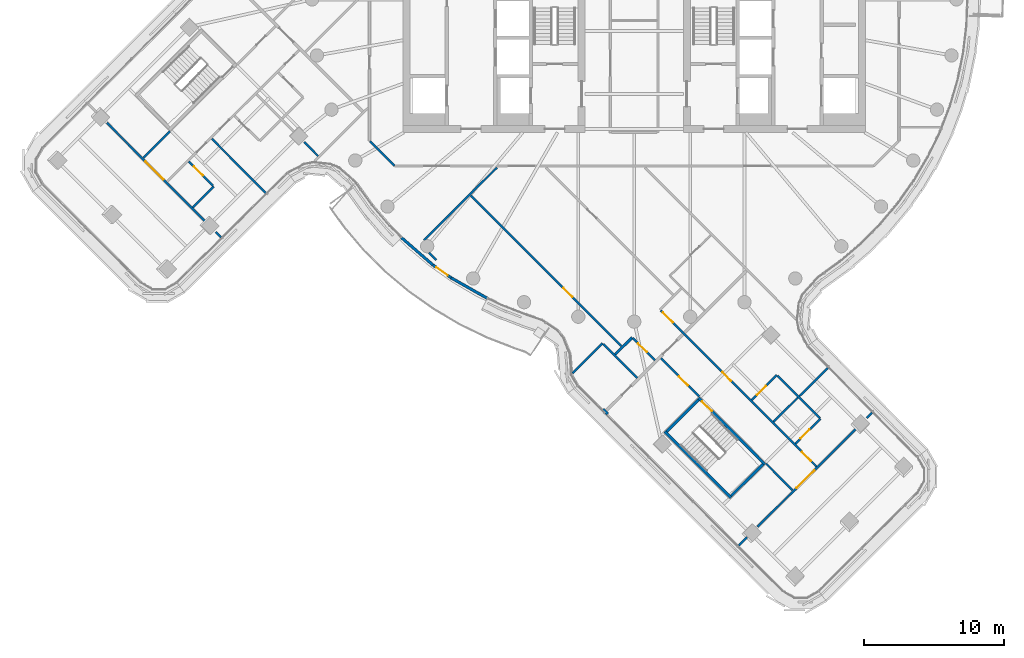
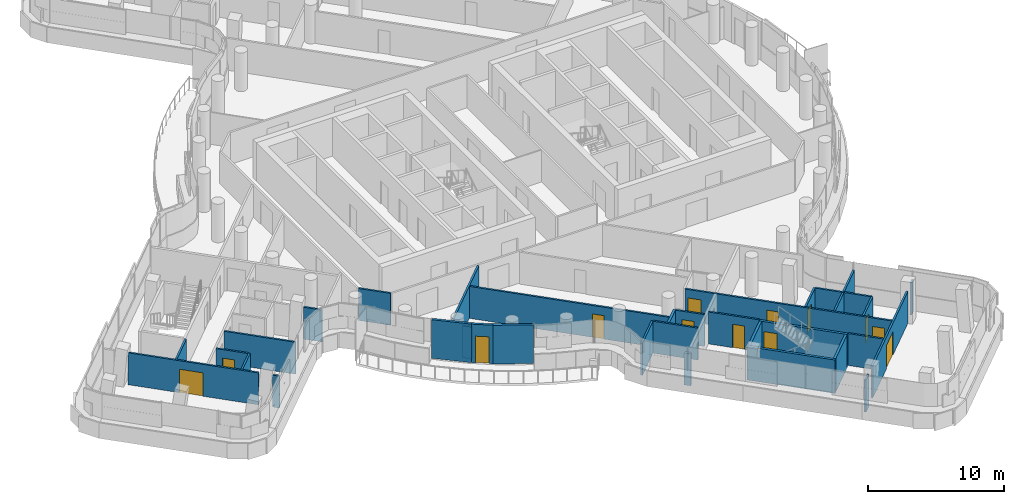
# One storey, part 18 of 31: 33 walls, 13 doors, 13 openings.
"""IFC4 building model written with IfcOpenShell, lengths in metres."""

from ifc_helpers import new_model, si_unit, direction, frame, frame_2d, origin, place, context, subcontext, project, spatial, polyline, rectangle, outline, extrude, material, layer, layer_set, type_object, element, fill, save


model = new_model("IFC4")

# Units and contexts
model_context = context("Model", 3, precision=1e-05, world=origin(), true_north=direction((0.0, 1.0)))
body_context = subcontext(model_context, "Body", "Model", "MODEL_VIEW")
ifc_project = project(units=[si_unit("LENGTHUNIT", "METRE"), si_unit("AREAUNIT", "SQUARE_METRE"), si_unit("VOLUMEUNIT", "CUBIC_METRE"), si_unit("PLANEANGLEUNIT", "RADIAN"), si_unit("MASSUNIT", "GRAM", prefix="KILO")], contexts=[model_context])

# Site, building, storey
site_placement = place(None, origin())
site = spatial("IfcSite", under=ifc_project, at=site_placement, CompositionType="ELEMENT")
building_placement = place(site_placement, origin())
building = spatial("IfcBuilding", under=site, at=building_placement, Name="Tamarind Cross Interchange Tower", CompositionType="ELEMENT")
storey_placement = place(building_placement, frame((0.0, 0.0, 196.89990234375)))
storey = spatial("IfcBuildingStorey", under=building, at=storey_placement, Name="L49", CompositionType="ELEMENT", Elevation=196.89990234375)

# Walls
ifc_material_1 = material(Name="Concrete C40", Category="concrete")
ifc_layer_1 = layer(ifc_material_1, 0.199951171875)
ifc_layer_set_1 = layer_set([ifc_layer_1], Name="Concrete C40")
wall_type_1 = type_object("IfcWallType", Name="Balcony and garden door wall", PredefinedType="SOLIDWALL", material=ifc_layer_set_1)
wall_1_placement = place(storey_placement, frame((-16.611083984375, -17.010986328125, 0.0), z_axis=(0.0, 0.0, 1.0), x_axis=(0.754795534336, -0.65596013701, 0.0)))
element("IfcWall", 1, at=wall_1_placement, inside=storey, type_object=wall_type_1, Name="EXW-L49-10-D02L", PredefinedType="SOLIDWALL", context=body_context, shape_type="SweptSolid", body=[
    extrude(rectangle(XDim=2.959228515625, YDim=0.199951171875, at=frame_2d((1.4794921875, 0.0))), origin(), (0.0, 0.0, 1.0), 3.460205078125),
])
wall_2_placement = place(storey_placement, frame((-13.0712890625, -19.876220703125, 0.0), z_axis=(0.0, 0.0, 1.0), x_axis=(0.870261525936, -0.492589967899, 0.0)))
element("IfcWall", 2, at=wall_2_placement, inside=storey, type_object=wall_type_1, Name="EXW-L49-10-D02R", PredefinedType="SOLIDWALL", context=body_context, shape_type="SweptSolid", body=[
    extrude(rectangle(XDim=2.95947265625, YDim=0.199951171875, at=frame_2d((1.479736328125, 0.0))), origin(), (0.0, 0.0, 1.0), 3.460205078125),
])

# Wall, opening, door
wall_3_placement = place(storey_placement, frame((-14.37744140625, -18.9521484375, 0.0), z_axis=(0.0, 0.0, 1.0), x_axis=(0.816354223939, -0.57755153974, 0.0)))
wall_3 = element("IfcWall", 3, at=wall_3_placement, inside=storey, type_object=wall_type_1, Name="EXW-L49-10-D02", PredefinedType="SOLIDWALL", context=body_context, shape_type="SweptSolid", body=[
    extrude(rectangle(XDim=1.60009765625, YDim=0.199951171875, at=frame_2d((0.800048828125, 0.0))), origin(), (0.0, 0.0, 1.0), 3.460205078125),
])
opening_1_placement = place(wall_3_placement, frame((0.300048828125, 0.0, 0.0)))
opening_1 = element("IfcOpeningElement", 4, at=opening_1_placement, cuts=wall_3, Name="Opening D2", PredefinedType="OPENING", context=body_context, shape_type="SweptSolid", body=[
    extrude(rectangle(XDim=1.0, YDim=2.39990234375, at=frame_2d((0.5, 1.199951171875))), frame((0.0, 0.10986328125, 0.0), z_axis=(0.0, -1.0, 0.0), x_axis=(1.0, 0.0, 0.0)), (0.0, 0.0, 1.0), 0.219970703125),
])
ifc_material_2 = material(Name="Aluminium and toughened glass", Category="aluminium")
door_type_1 = type_object("IfcDoorType", Name="Balcony and garden door", OperationType="SINGLE_SWING_LEFT", PredefinedType="DOOR", material=ifc_material_2)
door_1_placement = place(opening_1_placement, origin())
door_1 = element("IfcDoor", 5, at=door_1_placement, inside=storey, type_object=door_type_1, Name="DOR-L49-10-02", OperationType="SINGLE_SWING_LEFT", OverallHeight=2.39990234375, OverallWidth=1.0, PredefinedType="DOOR", context=body_context, shape_type="SweptSolid", body=[
    extrude(rectangle(XDim=1.0, YDim=2.39990234375, at=frame_2d((0.5, 1.199951171875))), frame((0.0, 0.02490234375, 0.0), z_axis=(0.0, -1.0, 0.0), x_axis=(1.0, 0.0, 0.0)), (0.0, 0.0, 1.0), 0.050048828125),
])
fill(opening_1, door_1)

ifc_material_3 = material(Name="Gypsum board partition on steel studs", Category="steel")
ifc_layer_2 = layer(ifc_material_3, 0.14990234375)
ifc_layer_set_2 = layer_set([ifc_layer_2], Name="Gypsum board partition on steel studs")
wall_type_2 = type_object("IfcWallType", Name="Partition 150 mm EI 120", PredefinedType="PARTITIONING", material=ifc_layer_set_2)
wall_4_placement = place(storey_placement, frame((-37.64599609375, -8.811279296875, 0.0), z_axis=(0.0, 0.0, 1.0), x_axis=(0.706209415239, -0.708003009759, 0.0)))
wall_4 = element("IfcWall", 6, at=wall_4_placement, inside=storey, type_object=wall_type_2, Name="Partition L49-002", PredefinedType="PARTITIONING", context=body_context, shape_type="SweptSolid", body=[
    extrude(rectangle(XDim=9.9365234375, YDim=0.14990234375, at=frame_2d((4.96826171875, 0.0))), origin(), (0.0, 0.0, 1.0), 2.864013671875),
])
opening_2_placement = place(wall_4_placement, frame((3.910888671875, 0.0, 0.0)))
opening_2 = element("IfcOpeningElement", 7, at=opening_2_placement, cuts=wall_4, Name="Opening D01", PredefinedType="OPENING", context=body_context, shape_type="SweptSolid", body=[
    extrude(rectangle(XDim=1.800048828125, YDim=2.10009765625, at=frame_2d((0.89990234375, 1.050048828125))), frame((0.0, 0.0849609375, 0.0), z_axis=(0.0, -1.0, 0.0), x_axis=(1.0, 0.0, 0.0)), (0.0, 0.0, 1.0), 0.169921875),
])
ifc_material_4 = material(Name="Fire-resisting door set")
door_type_2 = type_object("IfcDoorType", Name="Interior door 1800 x 2100 FD60S", OperationType="DOUBLE_DOOR_SINGLE_SWING", PredefinedType="DOOR", material=ifc_material_4)
door_2_placement = place(opening_2_placement, frame((1.800048828125, 0.0, 0.0), z_axis=(0.0, 0.0, 1.0), x_axis=(-1.0, 0.0, 0.0)))
door_2 = element("IfcDoor", 8, at=door_2_placement, inside=storey, type_object=door_type_2, Name="Door D01", OperationType="DOUBLE_DOOR_SINGLE_SWING", OverallHeight=2.10009765625, OverallWidth=1.800048828125, PredefinedType="DOOR", context=body_context, shape_type="SweptSolid", body=[
    extrude(rectangle(XDim=1.800048828125, YDim=2.10009765625, at=frame_2d((0.89990234375, 1.050048828125))), frame((0.0, 0.02490234375, 0.0), z_axis=(0.0, -1.0, 0.0), x_axis=(1.0, 0.0, 0.0)), (0.0, 0.0, 1.0), 0.050048828125),
])
fill(opening_2, door_2)

# Wall
wall_5_placement = place(storey_placement, frame((-29.878173828125, -16.598876953125, 0.0), z_axis=(0.0, 0.0, 1.0), x_axis=(0.706181249938, -0.70803110259, 0.0)))
element("IfcWall", 9, at=wall_5_placement, inside=storey, type_object=wall_type_2, Name="Partition L49-003", PredefinedType="PARTITIONING", context=body_context, shape_type="SweptSolid", body=[
    extrude(rectangle(XDim=0.52783203125, YDim=0.14990234375, at=frame_2d((0.263916015625, 0.0))), origin(), (0.0, 0.0, 1.0), 2.864013671875),
])

# Wall, opening, door
wall_6_placement = place(storey_placement, frame((-31.78759765625, -11.569580078125, 0.0), z_axis=(0.0, 0.0, 1.0), x_axis=(0.706357701572, -0.707855068096, 0.0)))
wall_6 = element("IfcWall", 10, at=wall_6_placement, inside=storey, type_object=wall_type_2, Name="Partition L49-004", PredefinedType="PARTITIONING", context=body_context, shape_type="SweptSolid", body=[
    extrude(rectangle(XDim=2.44580078125, YDim=0.14990234375, at=frame_2d((1.222900390625, 0.0))), origin(), (0.0, 0.0, 1.0), 2.864013671875),
])
opening_3_placement = place(wall_6_placement, frame((0.52001953125, 0.0, 0.0)))
opening_3 = element("IfcOpeningElement", 11, at=opening_3_placement, cuts=wall_6, Name="Opening D02", PredefinedType="OPENING", context=body_context, shape_type="SweptSolid", body=[
    extrude(rectangle(XDim=0.89990234375, YDim=2.10009765625, at=frame_2d((0.449951171875, 1.050048828125))), frame((0.0, 0.0849609375, 0.0), z_axis=(0.0, -1.0, 0.0), x_axis=(1.0, 0.0, 0.0)), (0.0, 0.0, 1.0), 0.169921875),
])
door_type_3 = type_object("IfcDoorType", Name="Interior door 900 x 2100 FD60S", OperationType="SINGLE_SWING_LEFT", PredefinedType="DOOR", material=ifc_material_4)
door_3_placement = place(opening_3_placement, frame((0.89990234375, 0.0, 0.0), z_axis=(0.0, 0.0, 1.0), x_axis=(-1.0, 0.0, 0.0)))
door_3 = element("IfcDoor", 12, at=door_3_placement, inside=storey, type_object=door_type_3, Name="Door D02", OperationType="SINGLE_SWING_LEFT", OverallHeight=2.10009765625, OverallWidth=0.89990234375, PredefinedType="DOOR", context=body_context, shape_type="SweptSolid", body=[
    extrude(rectangle(XDim=0.89990234375, YDim=2.10009765625, at=frame_2d((0.449951171875, 1.050048828125))), frame((0.0, 0.02490234375, 0.0), z_axis=(0.0, -1.0, 0.0), x_axis=(1.0, 0.0, 0.0)), (0.0, 0.0, 1.0), 0.050048828125),
])
fill(opening_3, door_3)

# Walls
wall_7_placement = place(storey_placement, frame((-30.158447265625, -9.945556640625, 0.0), z_axis=(0.0, 0.0, 1.0), x_axis=(0.706188534567, -0.70802383692, 0.0)))
element("IfcWall", 13, at=wall_7_placement, inside=storey, type_object=wall_type_2, Name="Partition L49-005", PredefinedType="PARTITIONING", context=body_context, shape_type="SweptSolid", body=[
    extrude(rectangle(XDim=5.4541015625, YDim=0.14990234375, at=frame_2d((2.72705078125, 0.0))), origin(), (0.0, 0.0, 1.0), 2.864013671875),
])
wall_8_placement = place(storey_placement, frame((-23.564208984375, -10.185302734375, 0.0), z_axis=(0.0, 0.0, 1.0), x_axis=(0.706156079719, -0.708056206156, 0.0)))
element("IfcWall", 14, at=wall_8_placement, inside=storey, type_object=wall_type_2, Name="Partition L49-009", PredefinedType="PARTITIONING", context=body_context, shape_type="SweptSolid", body=[
    extrude(rectangle(XDim=1.413330078125, YDim=0.14990234375, at=frame_2d((0.70654296875, 0.0))), origin(), (0.0, 0.0, 1.0), 2.864013671875),
])
wall_9_placement = place(storey_placement, frame((-18.87158203125, -10.12841796875, 0.0), z_axis=(0.0, 0.0, 1.0), x_axis=(0.707106781187, -0.707106781187, 0.0)))
element("IfcWall", 15, at=wall_9_placement, inside=storey, type_object=wall_type_2, Name="Partition L49-011", PredefinedType="PARTITIONING", context=body_context, shape_type="SweptSolid", body=[
    extrude(rectangle(XDim=2.465087890625, YDim=0.14990234375, at=frame_2d((1.232421875, 0.0))), origin(), (0.0, 0.0, 1.0), 2.864013671875),
])
wall_10_placement = place(storey_placement, frame((-14.655029296875, -18.0693359375, 0.0), z_axis=(0.0, 0.0, 1.0), x_axis=(0.706295228239, -0.707917403775, 0.0)))
element("IfcWall", 16, at=wall_10_placement, inside=storey, type_object=wall_type_2, Name="Partition L49-014", PredefinedType="PARTITIONING", context=body_context, shape_type="SweptSolid", body=[
    extrude(rectangle(XDim=0.75244140625, YDim=0.14990234375, at=frame_2d((0.376220703125, 0.0))), origin(), (0.0, 0.0, 1.0), 2.864013671875),
])

# Wall, opening, door
wall_11_placement = place(storey_placement, frame((-11.67138671875, -13.980712890625, 0.0), z_axis=(0.0, 0.0, 1.0), x_axis=(0.706230859369, -0.707981619306, 0.0)))
wall_11 = element("IfcWall", 17, at=wall_11_placement, inside=storey, type_object=wall_type_2, Name="Partition L49-018", PredefinedType="PARTITIONING", context=body_context, shape_type="SweptSolid", body=[
    extrude(rectangle(XDim=15.199951171875, YDim=0.14990234375, at=frame_2d((7.60009765625, 0.0))), origin(), (0.0, 0.0, 1.0), 2.864013671875),
])
opening_4_placement = place(wall_11_placement, frame((9.3701171875, 0.0, 0.0)))
opening_4 = element("IfcOpeningElement", 18, at=opening_4_placement, cuts=wall_11, Name="Opening D09", PredefinedType="OPENING", context=body_context, shape_type="SweptSolid", body=[
    extrude(rectangle(XDim=0.89990234375, YDim=2.10009765625, at=frame_2d((0.449951171875, 1.050048828125))), frame((0.0, 0.0849609375, 0.0), z_axis=(0.0, -1.0, 0.0), x_axis=(1.0, 0.0, 0.0)), (0.0, 0.0, 1.0), 0.169921875),
])
door_4_placement = place(opening_4_placement, frame((0.89990234375, 0.0, 0.0), z_axis=(0.0, 0.0, 1.0), x_axis=(-1.0, 0.0, 0.0)))
door_4 = element("IfcDoor", 19, at=door_4_placement, inside=storey, type_object=door_type_3, Name="Door D09", OperationType="SINGLE_SWING_RIGHT", OverallHeight=2.10009765625, OverallWidth=0.89990234375, PredefinedType="DOOR", context=body_context, shape_type="SweptSolid", body=[
    extrude(rectangle(XDim=0.89990234375, YDim=2.10009765625, at=frame_2d((0.449951171875, 1.050048828125))), frame((0.0, 0.02490234375, 0.0), z_axis=(0.0, -1.0, 0.0), x_axis=(1.0, 0.0, 0.0)), (0.0, 0.0, 1.0), 0.050048828125),
])
fill(opening_4, door_4)

# Wall
wall_12_placement = place(storey_placement, frame((-2.212890625, -24.59619140625, 0.0), z_axis=(0.0, 0.0, 1.0), x_axis=(0.706108044288, -0.70810410943, 0.0)))
element("IfcWall", 20, at=wall_12_placement, inside=storey, type_object=wall_type_2, Name="Partition L49-023", PredefinedType="PARTITIONING", context=body_context, shape_type="SweptSolid", body=[
    extrude(rectangle(XDim=3.4248046875, YDim=0.14990234375, at=frame_2d((1.71240234375, 0.0))), origin(), (0.0, 0.0, 1.0), 2.864013671875),
])

# Wall, opening, door
wall_13_placement = place(storey_placement, frame((-0.1015625, -24.16357421875, 0.0), z_axis=(0.0, 0.0, 1.0), x_axis=(0.706288844724, -0.707923772605, 0.0)))
wall_13 = element("IfcWall", 21, at=wall_13_placement, inside=storey, type_object=wall_type_2, Name="Partition L49-025", PredefinedType="PARTITIONING", context=body_context, shape_type="SweptSolid", body=[
    extrude(rectangle(XDim=2.239990234375, YDim=0.14990234375, at=frame_2d((1.1201171875, 0.0))), origin(), (0.0, 0.0, 1.0), 2.864013671875),
])
opening_5_placement = place(wall_13_placement, frame((0.5400390625, 0.0, 0.0)))
opening_5 = element("IfcOpeningElement", 22, at=opening_5_placement, cuts=wall_13, Name="Opening D13", PredefinedType="OPENING", context=body_context, shape_type="SweptSolid", body=[
    extrude(rectangle(XDim=0.89990234375, YDim=2.10009765625, at=frame_2d((0.449951171875, 1.050048828125))), frame((0.0, 0.0849609375, 0.0), z_axis=(0.0, -1.0, 0.0), x_axis=(1.0, 0.0, 0.0)), (0.0, 0.0, 1.0), 0.169921875),
])
door_5_placement = place(opening_5_placement, frame((0.89990234375, 0.0, 0.0), z_axis=(0.0, 0.0, 1.0), x_axis=(-1.0, 0.0, 0.0)))
door_5 = element("IfcDoor", 23, at=door_5_placement, inside=storey, type_object=door_type_3, Name="Door D13", OperationType="SINGLE_SWING_LEFT", OverallHeight=2.10009765625, OverallWidth=0.89990234375, PredefinedType="DOOR", context=body_context, shape_type="SweptSolid", body=[
    extrude(rectangle(XDim=0.89990234375, YDim=2.10009765625, at=frame_2d((0.449951171875, 1.050048828125))), frame((0.0, 0.02490234375, 0.0), z_axis=(0.0, -1.0, 0.0), x_axis=(1.0, 0.0, 0.0)), (0.0, 0.0, 1.0), 0.050048828125),
])
fill(opening_5, door_5)

wall_14_placement = place(storey_placement, frame((1.904541015625, -25.60888671875, 0.0), z_axis=(0.0, 0.0, 1.0), x_axis=(0.706315640058, -0.707897038142, 0.0)))
wall_14 = element("IfcWall", 24, at=wall_14_placement, inside=storey, type_object=wall_type_2, Name="Partition L49-027", PredefinedType="PARTITIONING", context=body_context, shape_type="SweptSolid", body=[
    extrude(rectangle(XDim=3.859619140625, YDim=0.14990234375, at=frame_2d((1.9296875, 0.0))), origin(), (0.0, 0.0, 1.0), 2.864013671875),
])
opening_6_placement = place(wall_14_placement, frame((1.85009765625, 0.0, 0.0)))
opening_6 = element("IfcOpeningElement", 25, at=opening_6_placement, cuts=wall_14, Name="Opening D14", PredefinedType="OPENING", context=body_context, shape_type="SweptSolid", body=[
    extrude(rectangle(XDim=0.89990234375, YDim=2.10009765625, at=frame_2d((0.449951171875, 1.050048828125))), frame((0.0, 0.0849609375, 0.0), z_axis=(0.0, -1.0, 0.0), x_axis=(1.0, 0.0, 0.0)), (0.0, 0.0, 1.0), 0.169921875),
])
door_6_placement = place(opening_6_placement, frame((0.89990234375, 0.0, 0.0), z_axis=(0.0, 0.0, 1.0), x_axis=(-1.0, 0.0, 0.0)))
door_6 = element("IfcDoor", 26, at=door_6_placement, inside=storey, type_object=door_type_3, Name="Door D14", OperationType="SINGLE_SWING_RIGHT", OverallHeight=2.10009765625, OverallWidth=0.89990234375, PredefinedType="DOOR", context=body_context, shape_type="SweptSolid", body=[
    extrude(rectangle(XDim=0.89990234375, YDim=2.10009765625, at=frame_2d((0.449951171875, 1.050048828125))), frame((0.0, 0.02490234375, 0.0), z_axis=(0.0, -1.0, 0.0), x_axis=(1.0, 0.0, 0.0)), (0.0, 0.0, 1.0), 0.050048828125),
])
fill(opening_6, door_6)

# Wall
wall_15_placement = place(storey_placement, frame((9.418701171875, -33.140625, 0.0), z_axis=(0.0, 0.0, 1.0), x_axis=(0.706241206741, -0.707971297371, 0.0)))
element("IfcWall", 27, at=wall_15_placement, inside=storey, type_object=wall_type_2, Name="Partition L49-028", PredefinedType="PARTITIONING", context=body_context, shape_type="SweptSolid", body=[
    extrude(rectangle(XDim=2.68115234375, YDim=0.14990234375, at=frame_2d((1.340576171875, 0.0))), origin(), (0.0, 0.0, 1.0), 2.864013671875),
])

# Wall, openings, doors
wall_16_placement = place(storey_placement, frame((1.89453125, -22.20068359375, 0.0), z_axis=(0.0, 0.0, 1.0), x_axis=(0.706276457416, -0.707936131088, 0.0)))
wall_16 = element("IfcWall", 28, at=wall_16_placement, inside=storey, type_object=wall_type_2, Name="Partition L49-029", PredefinedType="PARTITIONING", context=body_context, shape_type="SweptSolid", body=[
    extrude(rectangle(XDim=15.739990234375, YDim=0.14990234375, at=frame_2d((7.8701171875, 0.0))), origin(), (0.0, 0.0, 1.0), 2.864013671875),
])
opening_7_placement = place(wall_16_placement, frame((0.219970703125, 0.0, 0.0)))
opening_7 = element("IfcOpeningElement", 29, at=opening_7_placement, cuts=wall_16, Name="Opening D15", PredefinedType="OPENING", context=body_context, shape_type="SweptSolid", body=[
    extrude(rectangle(XDim=1.0, YDim=2.10009765625, at=frame_2d((0.5, 1.050048828125))), frame((0.0, 0.0849609375, 0.0), z_axis=(0.0, -1.0, 0.0), x_axis=(1.0, 0.0, 0.0)), (0.0, 0.0, 1.0), 0.169921875),
])
opening_8_placement = place(wall_16_placement, frame((6.219970703125, 0.0, 0.0)))
opening_8 = element("IfcOpeningElement", 30, at=opening_8_placement, cuts=wall_16, Name="Opening D16", PredefinedType="OPENING", context=body_context, shape_type="SweptSolid", body=[
    extrude(rectangle(XDim=0.89990234375, YDim=2.10009765625, at=frame_2d((0.449951171875, 1.050048828125))), frame((0.0, 0.0849609375, 0.0), z_axis=(0.0, -1.0, 0.0), x_axis=(1.0, 0.0, 0.0)), (0.0, 0.0, 1.0), 0.169921875),
])
opening_9_placement = place(wall_16_placement, frame((14.2705078125, 0.0, 0.0)))
opening_9 = element("IfcOpeningElement", 31, at=opening_9_placement, cuts=wall_16, Name="Opening D17", PredefinedType="OPENING", context=body_context, shape_type="SweptSolid", body=[
    extrude(rectangle(XDim=0.89990234375, YDim=2.10009765625, at=frame_2d((0.449951171875, 1.050048828125))), frame((0.0, 0.0849609375, 0.0), z_axis=(0.0, -1.0, 0.0), x_axis=(1.0, 0.0, 0.0)), (0.0, 0.0, 1.0), 0.169921875),
])
door_type_4 = type_object("IfcDoorType", Name="Interior door 1000 x 2100 FD60S", OperationType="SINGLE_SWING_LEFT", PredefinedType="DOOR", material=ifc_material_4)
door_7_placement = place(opening_7_placement, origin())
door_7 = element("IfcDoor", 32, at=door_7_placement, inside=storey, type_object=door_type_4, Name="Door D15", OperationType="SINGLE_SWING_RIGHT", OverallHeight=2.10009765625, OverallWidth=1.0, PredefinedType="DOOR", context=body_context, shape_type="SweptSolid", body=[
    extrude(rectangle(XDim=1.0, YDim=2.10009765625, at=frame_2d((0.5, 1.050048828125))), frame((0.0, 0.02490234375, 0.0), z_axis=(0.0, -1.0, 0.0), x_axis=(1.0, 0.0, 0.0)), (0.0, 0.0, 1.0), 0.050048828125),
])
fill(opening_7, door_7)
door_8_placement = place(opening_8_placement, origin())
door_8 = element("IfcDoor", 33, at=door_8_placement, inside=storey, type_object=door_type_3, Name="Door D16", OperationType="SINGLE_SWING_RIGHT", OverallHeight=2.10009765625, OverallWidth=0.89990234375, PredefinedType="DOOR", context=body_context, shape_type="SweptSolid", body=[
    extrude(rectangle(XDim=0.89990234375, YDim=2.10009765625, at=frame_2d((0.449951171875, 1.050048828125))), frame((0.0, 0.02490234375, 0.0), z_axis=(0.0, -1.0, 0.0), x_axis=(1.0, 0.0, 0.0)), (0.0, 0.0, 1.0), 0.050048828125),
])
fill(opening_8, door_8)
door_9_placement = place(opening_9_placement, origin())
door_9 = element("IfcDoor", 34, at=door_9_placement, inside=storey, type_object=door_type_3, Name="Door D17", OperationType="SINGLE_SWING_LEFT", OverallHeight=2.10009765625, OverallWidth=0.89990234375, PredefinedType="DOOR", context=body_context, shape_type="SweptSolid", body=[
    extrude(rectangle(XDim=0.89990234375, YDim=2.10009765625, at=frame_2d((0.449951171875, 1.050048828125))), frame((0.0, 0.02490234375, 0.0), z_axis=(0.0, -1.0, 0.0), x_axis=(1.0, 0.0, 0.0)), (0.0, 0.0, 1.0), 0.050048828125),
])
fill(opening_9, door_9)

# Walls
wall_17_placement = place(storey_placement, frame((10.22900390625, -26.8740234375, 0.0), z_axis=(0.0, 0.0, 1.0), x_axis=(0.706194680703, -0.708017706662, 0.0)))
element("IfcWall", 35, at=wall_17_placement, inside=storey, type_object=wall_type_2, Name="Partition L49-031", PredefinedType="PARTITIONING", context=body_context, shape_type="SweptSolid", body=[
    extrude(rectangle(XDim=4.285400390625, YDim=0.14990234375, at=frame_2d((2.142578125, 0.0))), origin(), (0.0, 0.0, 1.0), 2.864013671875),
])
wall_18_placement = place(storey_placement, frame((-35.039306640625, -11.3115234375, 0.0), z_axis=(0.0, 0.0, 1.0), x_axis=(0.707971408645, 0.706241095194, 0.0)))
element("IfcWall", 36, at=wall_18_placement, inside=storey, type_object=wall_type_2, Name="Partition L49-043", PredefinedType="PARTITIONING", context=body_context, shape_type="SweptSolid", body=[
    extrude(rectangle(XDim=2.680908203125, YDim=0.14990234375, at=frame_2d((1.34033203125, 0.0))), origin(), (0.0, 0.0, 1.0), 2.864013671875),
])
wall_19_placement = place(storey_placement, frame((-31.50830078125, -14.8515625, 0.0), z_axis=(0.0, 0.0, 1.0), x_axis=(0.707969772103, 0.706242735742, 0.0)))
element("IfcWall", 37, at=wall_19_placement, inside=storey, type_object=wall_type_2, Name="Partition L49-046", PredefinedType="PARTITIONING", context=body_context, shape_type="SweptSolid", body=[
    extrude(rectangle(XDim=2.120361328125, YDim=0.14990234375, at=frame_2d((1.06005859375, 0.0))), origin(), (0.0, 0.0, 1.0), 2.864013671875),
])
wall_20_placement = place(storey_placement, frame((-15.005615234375, -17.193359375, 0.0), z_axis=(0.0, 0.0, 1.0), x_axis=(0.708004144821, 0.706208277292, 0.0)))
element("IfcWall", 38, at=wall_20_placement, inside=storey, type_object=wall_type_2, Name="Partition L49-057", PredefinedType="PARTITIONING", context=body_context, shape_type="SweptSolid", body=[
    extrude(rectangle(XDim=7.341064453125, YDim=0.14990234375, at=frame_2d((3.67041015625, 0.0))), origin(), (0.0, 0.0, 1.0), 2.864013671875),
])
wall_21_placement = place(storey_placement, frame((-4.41162109375, -26.68359375, 0.0), z_axis=(0.0, 0.0, 1.0), x_axis=(0.707911866115, 0.706300778573, 0.0)))
element("IfcWall", 39, at=wall_21_placement, inside=storey, type_object=wall_type_2, Name="Partition L49-064", PredefinedType="PARTITIONING", context=body_context, shape_type="SweptSolid", body=[
    extrude(rectangle(XDim=3.03076171875, YDim=0.14990234375, at=frame_2d((1.515380859375, 0.0))), origin(), (0.0, 0.0, 1.0), 2.864013671875),
])
wall_22_placement = place(storey_placement, frame((7.474365234375, -38.9794921875, 0.0), z_axis=(0.0, 0.0, 1.0), x_axis=(0.708140885338, 0.706071162499, 0.0)))
element("IfcWall", 40, at=wall_22_placement, inside=storey, type_object=wall_type_2, Name="Partition L49-069", PredefinedType="PARTITIONING", context=body_context, shape_type="SweptSolid", body=[
    extrude(rectangle(XDim=0.82568359375, YDim=0.14990234375, at=frame_2d((0.412841796875, 0.0))), origin(), (0.0, 0.0, 1.0), 2.864013671875),
])

# Wall, opening, door
wall_23_placement = place(storey_placement, frame((8.811279296875, -37.64599609375, 0.0), z_axis=(0.0, 0.0, 1.0), x_axis=(0.708003009759, 0.706209415239, 0.0)))
wall_23 = element("IfcWall", 41, at=wall_23_placement, inside=storey, type_object=wall_type_2, Name="Partition L49-070", PredefinedType="PARTITIONING", context=body_context, shape_type="SweptSolid", body=[
    extrude(rectangle(XDim=9.9365234375, YDim=0.14990234375, at=frame_2d((4.96826171875, 0.0))), origin(), (0.0, 0.0, 1.0), 2.864013671875),
])
opening_10_placement = place(wall_23_placement, frame((3.910888671875, 0.0, 0.0)))
opening_10 = element("IfcOpeningElement", 42, at=opening_10_placement, cuts=wall_23, Name="Opening D38", PredefinedType="OPENING", context=body_context, shape_type="SweptSolid", body=[
    extrude(rectangle(XDim=1.800048828125, YDim=2.10009765625, at=frame_2d((0.89990234375, 1.050048828125))), frame((0.0, 0.0849609375, 0.0), z_axis=(0.0, -1.0, 0.0), x_axis=(1.0, 0.0, 0.0)), (0.0, 0.0, 1.0), 0.169921875),
])
door_10_placement = place(opening_10_placement, frame((1.800048828125, 0.0, 0.0), z_axis=(0.0, 0.0, 1.0), x_axis=(-1.0, 0.0, 0.0)))
door_10 = element("IfcDoor", 43, at=door_10_placement, inside=storey, type_object=door_type_2, Name="Door D38", OperationType="DOUBLE_DOOR_SINGLE_SWING", OverallHeight=2.10009765625, OverallWidth=1.800048828125, PredefinedType="DOOR", context=body_context, shape_type="SweptSolid", body=[
    extrude(rectangle(XDim=1.800048828125, YDim=2.10009765625, at=frame_2d((0.89990234375, 1.050048828125))), frame((0.0, 0.02490234375, 0.0), z_axis=(0.0, -1.0, 0.0), x_axis=(1.0, 0.0, 0.0)), (0.0, 0.0, 1.0), 0.050048828125),
])
fill(opening_10, door_10)

# Wall
wall_24_placement = place(storey_placement, frame((16.598876953125, -29.878173828125, 0.0), z_axis=(0.0, 0.0, 1.0), x_axis=(0.70803110259, 0.706181249938, 0.0)))
element("IfcWall", 44, at=wall_24_placement, inside=storey, type_object=wall_type_2, Name="Partition L49-071", PredefinedType="PARTITIONING", context=body_context, shape_type="SweptSolid", body=[
    extrude(rectangle(XDim=0.52783203125, YDim=0.14990234375, at=frame_2d((0.263916015625, 0.0))), origin(), (0.0, 0.0, 1.0), 2.864013671875),
])

# Wall, opening, door
wall_25_placement = place(storey_placement, frame((8.3916015625, -28.6015625, 0.0), z_axis=(0.0, 0.0, 1.0), x_axis=(0.707881161632, 0.706331551756, 0.0)))
wall_25 = element("IfcWall", 45, at=wall_25_placement, inside=storey, type_object=wall_type_2, Name="Partition L49-072", PredefinedType="PARTITIONING", context=body_context, shape_type="SweptSolid", body=[
    extrude(rectangle(XDim=2.520751953125, YDim=0.14990234375, at=frame_2d((1.26025390625, 0.0))), origin(), (0.0, 0.0, 1.0), 2.864013671875),
])
opening_11_placement = place(wall_25_placement, frame((0.52001953125, 0.0, 0.0)))
opening_11 = element("IfcOpeningElement", 46, at=opening_11_placement, cuts=wall_25, Name="Opening D39", PredefinedType="OPENING", context=body_context, shape_type="SweptSolid", body=[
    extrude(rectangle(XDim=0.89990234375, YDim=2.10009765625, at=frame_2d((0.449951171875, 1.050048828125))), frame((0.0, 0.0849609375, 0.0), z_axis=(0.0, -1.0, 0.0), x_axis=(1.0, 0.0, 0.0)), (0.0, 0.0, 1.0), 0.169921875),
])
door_11_placement = place(opening_11_placement, frame((0.89990234375, 0.0, 0.0), z_axis=(0.0, 0.0, 1.0), x_axis=(-1.0, 0.0, 0.0)))
door_11 = element("IfcDoor", 47, at=door_11_placement, inside=storey, type_object=door_type_3, Name="Door D39", OperationType="SINGLE_SWING_LEFT", OverallHeight=2.10009765625, OverallWidth=0.89990234375, PredefinedType="DOOR", context=body_context, shape_type="SweptSolid", body=[
    extrude(rectangle(XDim=0.89990234375, YDim=2.10009765625, at=frame_2d((0.449951171875, 1.050048828125))), frame((0.0, 0.02490234375, 0.0), z_axis=(0.0, -1.0, 0.0), x_axis=(1.0, 0.0, 0.0)), (0.0, 0.0, 1.0), 0.050048828125),
])
fill(opening_11, door_11)

# Wall
wall_26_placement = place(storey_placement, frame((9.945556640625, -30.158447265625, 0.0), z_axis=(0.0, 0.0, 1.0), x_axis=(0.708068540802, 0.706143711667, 0.0)))
element("IfcWall", 48, at=wall_26_placement, inside=storey, type_object=wall_type_2, Name="Partition L49-073", PredefinedType="PARTITIONING", context=body_context, shape_type="SweptSolid", body=[
    extrude(rectangle(XDim=5.4541015625, YDim=0.14990234375, at=frame_2d((2.72705078125, 0.0))), origin(), (0.0, 0.0, 1.0), 2.864013671875),
])

# Wall, opening, door
wall_27_placement = place(storey_placement, frame((11.49951171875, -31.716552734375, 0.0), z_axis=(0.0, 0.0, 1.0), x_axis=(0.707881585892, 0.706331126566, 0.0)))
wall_27 = element("IfcWall", 49, at=wall_27_placement, inside=storey, type_object=wall_type_2, Name="Partition L49-074", PredefinedType="PARTITIONING", context=body_context, shape_type="SweptSolid", body=[
    extrude(rectangle(XDim=2.51953125, YDim=0.14990234375, at=frame_2d((1.259765625, 0.0))), origin(), (0.0, 0.0, 1.0), 2.864013671875),
])
opening_12_placement = place(wall_27_placement, frame((0.52001953125, 0.0, 0.0)))
opening_12 = element("IfcOpeningElement", 50, at=opening_12_placement, cuts=wall_27, Name="Opening D40", PredefinedType="OPENING", context=body_context, shape_type="SweptSolid", body=[
    extrude(rectangle(XDim=0.89990234375, YDim=2.10009765625, at=frame_2d((0.449951171875, 1.050048828125))), frame((0.0, 0.0849609375, 0.0), z_axis=(0.0, -1.0, 0.0), x_axis=(1.0, 0.0, 0.0)), (0.0, 0.0, 1.0), 0.169921875),
])
door_12_placement = place(opening_12_placement, origin())
door_12 = element("IfcDoor", 51, at=door_12_placement, inside=storey, type_object=door_type_3, Name="Door D40", OperationType="SINGLE_SWING_RIGHT", OverallHeight=2.10009765625, OverallWidth=0.89990234375, PredefinedType="DOOR", context=body_context, shape_type="SweptSolid", body=[
    extrude(rectangle(XDim=0.89990234375, YDim=2.10009765625, at=frame_2d((0.449951171875, 1.050048828125))), frame((0.0, 0.02490234375, 0.0), z_axis=(0.0, -1.0, 0.0), x_axis=(1.0, 0.0, 0.0)), (0.0, 0.0, 1.0), 0.050048828125),
])
fill(opening_12, door_12)

# Walls
ifc_layer_3 = layer(ifc_material_3, 0.199951171875)
ifc_layer_set_3 = layer_set([ifc_layer_3], Name="Gypsum board partition on steel studs")
wall_type_3 = type_object("IfcWallType", Name="Partition 200 mm EI 180", PredefinedType="PARTITIONING", material=ifc_layer_set_3)
wall_28_placement = place(storey_placement, frame((-1.3623046875, -25.33544921875, 0.0), z_axis=(0.0, 0.0, 1.0), x_axis=(0.708241326576, 0.705970412503, 0.0)))
element("IfcWall", 52, at=wall_28_placement, inside=storey, type_object=wall_type_3, Name="Partition L49-067", PredefinedType="PARTITIONING", context=body_context, shape_type="SweptSolid", body=[
    extrude(rectangle(XDim=1.72021484375, YDim=0.199951171875, at=frame_2d((0.860107421875, 0.0))), origin(), (0.0, 0.0, 1.0), 2.864013671875),
])
wall_29_placement = place(storey_placement, frame((-2.23583984375, -29.244384765625, 0.0), z_axis=(0.0, 0.0, 1.0), x_axis=(0.706129440801, -0.708082772587, 0.0)))
element("IfcWall", 53, at=wall_29_placement, inside=storey, type_object=wall_type_3, Name="Partition L49-081", PredefinedType="PARTITIONING", context=body_context, shape_type="SweptSolid", body=[
    extrude(rectangle(XDim=0.5, YDim=0.199951171875, at=frame_2d((0.25, 0.0))), origin(), (0.0, 0.0, 1.0), 2.864013671875),
])

# Wall, opening, door
ifc_layer_4 = layer(ifc_material_1, 0.199951171875)
ifc_layer_set_4 = layer_set([ifc_layer_4], Name="Concrete C40")
wall_type_4 = type_object("IfcWallType", Name="Stair shaft wall 200 mm Concrete C40", PredefinedType="SHEAR", material=ifc_layer_set_4)
wall_30_placement = place(storey_placement, frame((4.587890625, -28.440673828125, -0.139892578125), z_axis=(0.0, 0.0, 1.0), x_axis=(0.706213475762, -0.707998959499, 0.0)))
wall_30 = element("IfcWall", 54, at=wall_30_placement, inside=storey, type_object=wall_type_4, Name="Core wall CWL-L49-ST6-H", PredefinedType="SHEAR", context=body_context, shape_type="SweptSolid", body=[
    extrude(rectangle(XDim=6.7001953125, YDim=0.199951171875, at=frame_2d((3.35009765625, 0.0))), origin(), (0.0, 0.0, 1.0), 3.00390625),
])
opening_13_placement = place(wall_30_placement, frame((0.35009765625, 0.0, 0.0)))
opening_13 = element("IfcOpeningElement", 55, at=opening_13_placement, cuts=wall_30, Name="Opening ST6L49", PredefinedType="OPENING", context=body_context, shape_type="SweptSolid", body=[
    extrude(rectangle(XDim=1.0, YDim=2.10009765625, at=frame_2d((0.5, 1.050048828125))), frame((0.0, 0.10986328125, 0.0), z_axis=(0.0, -1.0, 0.0), x_axis=(1.0, 0.0, 0.0)), (0.0, 0.0, 1.0), 0.219970703125),
])
ifc_material_5 = material(Name="Steel, fire-resisting", Category="steel")
door_type_5 = type_object("IfcDoorType", Name="Core fire door 1000 x 2100 FD90", OperationType="SINGLE_SWING_LEFT", PredefinedType="DOOR", material=ifc_material_5)
door_13_placement = place(opening_13_placement, origin())
door_13 = element("IfcDoor", 56, at=door_13_placement, inside=storey, type_object=door_type_5, Name="L49 stair door ST6", OperationType="SINGLE_SWING_LEFT", OverallHeight=2.10009765625, OverallWidth=1.0, PredefinedType="DOOR", context=body_context, shape_type="SweptSolid", body=[
    extrude(rectangle(XDim=1.0, YDim=2.10009765625, at=frame_2d((0.5, 1.050048828125))), frame((0.0, 0.02490234375, 0.0), z_axis=(0.0, -1.0, 0.0), x_axis=(1.0, 0.0, 0.0)), (0.0, 0.0, 1.0), 0.050048828125),
])
fill(opening_13, door_13)

# Walls
wall_31_placement = place(storey_placement, frame((2.1806640625, -30.841552734375, -0.139892578125), z_axis=(0.0, 0.0, 1.0), x_axis=(0.706195209831, -0.708017178896, 0.0)))
element("IfcWall", 57, at=wall_31_placement, inside=storey, type_object=wall_type_4, Name="Core wall CWL-L49-ST6-C", PredefinedType="SHEAR", context=body_context, shape_type="SweptSolid", body=[
    extrude(rectangle(XDim=6.699951171875, YDim=0.199951171875, at=frame_2d((3.35009765625, 0.0))), origin(), (0.0, 0.0, 1.0), 3.00390625),
])
wall_32_placement = place(storey_placement, frame((2.322021484375, -30.841796875, -0.139892578125), z_axis=(0.0, 0.0, 1.0), x_axis=(0.708021733818, 0.706190643127, 0.0)))
element("IfcWall", 58, at=wall_32_placement, inside=storey, type_object=wall_type_4, Name="Core wall CWL-L49-ST6-CE", PredefinedType="SHEAR", context=body_context, shape_type="SweptSolid", body=[
    extrude(rectangle(XDim=3.199951171875, YDim=0.199951171875, at=frame_2d((1.60009765625, 0.0))), origin(), (0.0, 0.0, 1.0), 3.00390625),
])
wall_33_placement = place(storey_placement, frame((0.0, 0.0, -0.139892578125)))
element("IfcWall", 59, at=wall_33_placement, inside=storey, type_object=wall_type_4, Name="Core wall CWL-L49-ST6-CF", PredefinedType="SHEAR", context=body_context, shape_type="SweptSolid", body=[
    extrude(outline(polyline([(6.841796875, -35.373046875), (6.98291015625, -35.5146484375), (9.24853515625, -33.2548828125), (9.107421875, -33.11328125), (6.841796875, -35.373046875)])), origin(), (0.0, 0.0, 1.0), 3.00390625),
])

save(model, "model.ifc")
